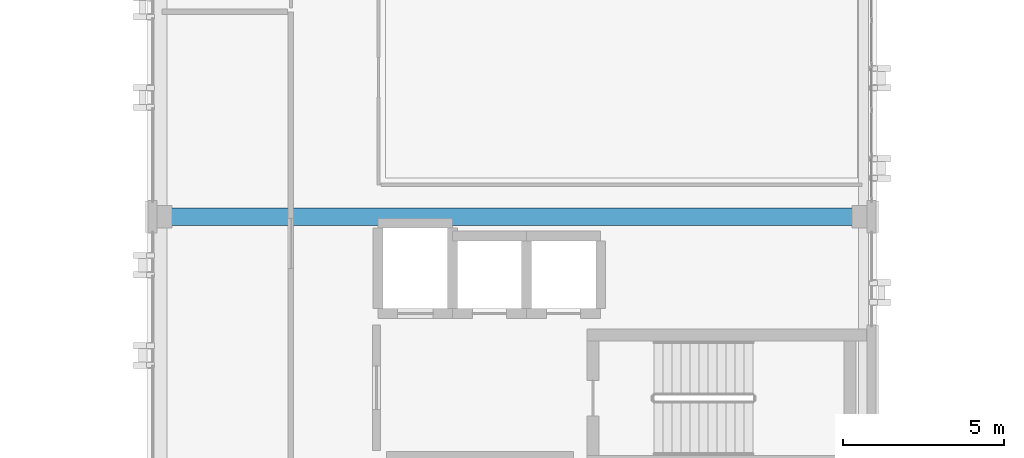
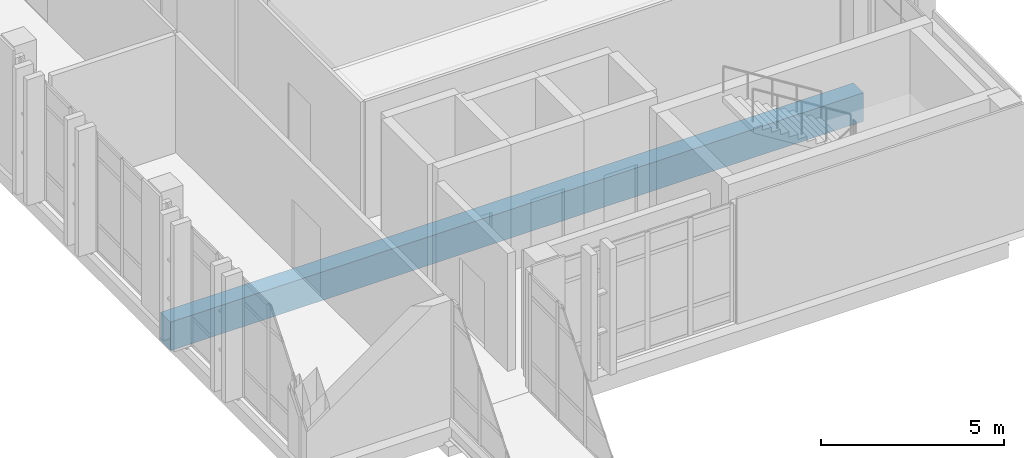
# One storey, part 59 of 165: 1 beam.
"""IFC4 building model written with IfcOpenShell, lengths in metres."""

from ifc_helpers import new_model, si_unit, direction, frame, origin, origin_2d, place, context, subcontext, project, spatial, rectangle, extrude, material, material_profile, profile_set, type_object, element, save


model = new_model("IFC4")

# Units and contexts
model_context = context("Model", 3, precision=1e-05, world=origin(), true_north=direction((0.0, 1.0)))
body_context = subcontext(model_context, "Body", "Model", "MODEL_VIEW")
ifc_project = project(units=[si_unit("LENGTHUNIT", "METRE"), si_unit("AREAUNIT", "SQUARE_METRE"), si_unit("VOLUMEUNIT", "CUBIC_METRE"), si_unit("PLANEANGLEUNIT", "RADIAN"), si_unit("MASSUNIT", "GRAM", prefix="KILO")], contexts=[model_context])

# Site, building, storey
site_placement = place(None, origin())
site = spatial("IfcSite", under=ifc_project, at=site_placement, CompositionType="ELEMENT")
building_placement = place(site_placement, origin())
building = spatial("IfcBuilding", under=site, at=building_placement, Name="Qalavern Law Courts", CompositionType="ELEMENT")
storey_placement = place(building_placement, frame((0.0, 0.0, 14.39990234375)))
storey = spatial("IfcBuildingStorey", under=building, at=storey_placement, Name="L03", CompositionType="ELEMENT", Elevation=14.39990234375)

# Beam
ifc_material = material(Name="Concrete C40/50", Category="concrete")
ifc_material_profile = material_profile(ifc_material, rectangle(XDim=0.550048828125, YDim=0.949951171875, at=origin_2d()), Name="RC 550x950")
ifc_profile_set = profile_set([ifc_material_profile], Name="Concrete C40/50")
beam_type = type_object("IfcBeamType", Name="STR-BM-RC550x950", PredefinedType="BEAM", material=ifc_profile_set)
beam_placement = place(storey_placement, frame((84.60009765625, 49.39990234375, -0.760009765625), z_axis=(1.0, 0.0, 0.0), x_axis=(0.0, 1.0, 0.0)))
element("IfcBeam", 1, at=beam_placement, inside=storey, type_object=beam_type, Name="V4 X-beam 2-1 L03", PredefinedType="BEAM", context=body_context, shape_type="SweptSolid", body=[
    extrude(rectangle(XDim=0.550048828125, YDim=0.949951171875, at=origin_2d()), origin(), (0.0, 0.0, 1.0), 21.7998046875),
])

save(model, "model.ifc")
